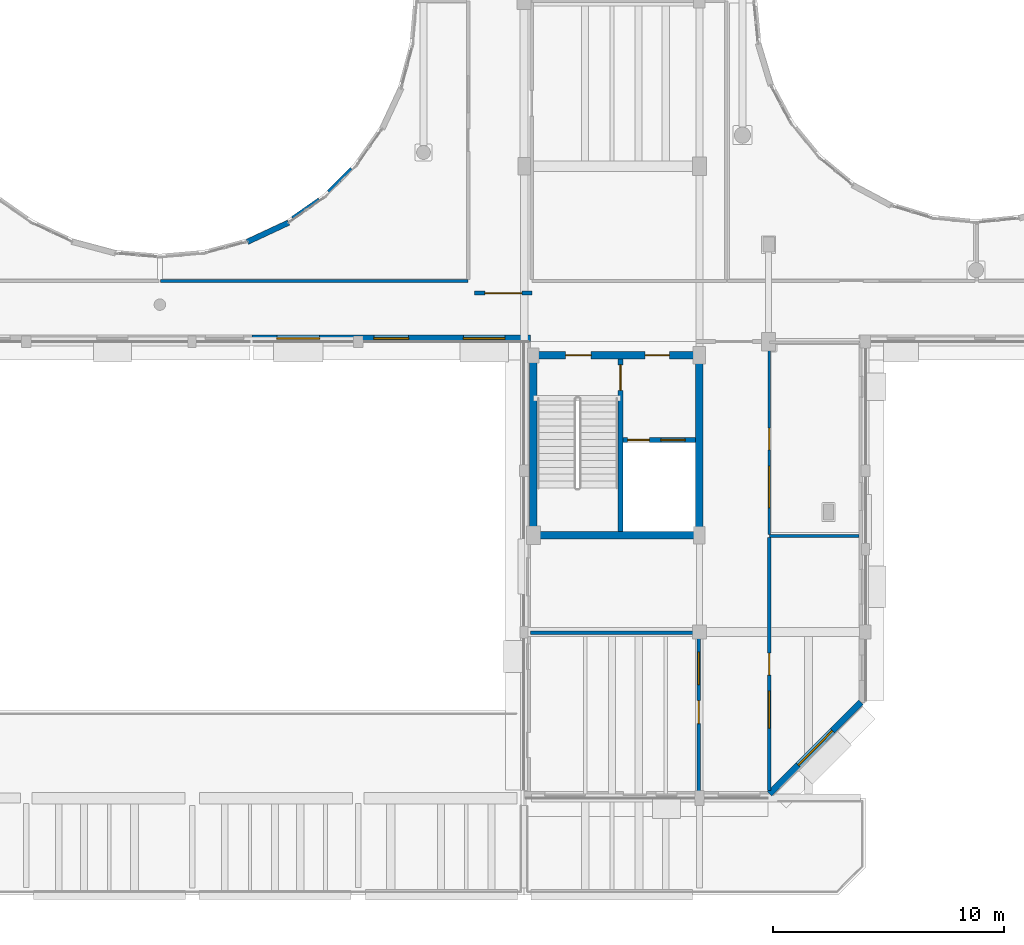
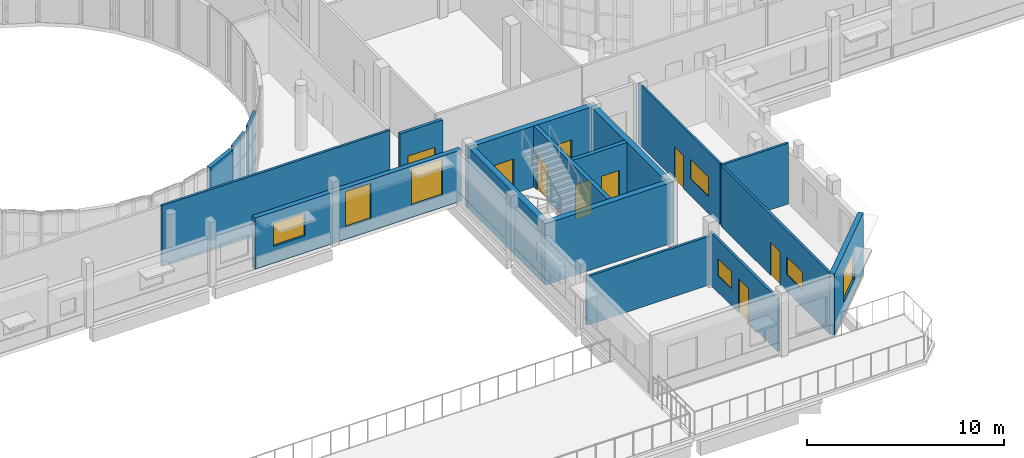
# One storey, part 68 of 92: 18 walls, 9 doors, 7 windows, 16 openings.
"""IFC4 building model written with IfcOpenShell, lengths in metres."""

from ifc_helpers import new_model, si_unit, direction, frame, frame_2d, origin, place, context, subcontext, project, spatial, rectangle, extrude, material, layer, layer_set, type_object, element, fill, save


model = new_model("IFC4")

# Units and contexts
model_context = context("Model", 3, precision=1e-05, world=origin(), true_north=direction((0.0, 1.0)))
body_context = subcontext(model_context, "Body", "Model", "MODEL_VIEW")
ifc_project = project(units=[si_unit("LENGTHUNIT", "METRE"), si_unit("AREAUNIT", "SQUARE_METRE"), si_unit("VOLUMEUNIT", "CUBIC_METRE"), si_unit("PLANEANGLEUNIT", "RADIAN"), si_unit("MASSUNIT", "GRAM", prefix="KILO")], contexts=[model_context])

# Site, building, storey
site_placement = place(None, origin())
site = spatial("IfcSite", under=ifc_project, at=site_placement, CompositionType="ELEMENT")
building_placement = place(site_placement, origin())
building = spatial("IfcBuilding", under=site, at=building_placement, Name="Kelanivale Promenade Academy", CompositionType="ELEMENT")
storey_placement = place(building_placement, frame((0.0, 0.0, 8.199951171875)))
storey = spatial("IfcBuildingStorey", under=building, at=storey_placement, Name="L02", CompositionType="ELEMENT", Elevation=8.199951171875)

# Wall
ifc_material_1 = material(Name="Concrete C40/50", Category="concrete")
ifc_layer_1 = layer(ifc_material_1, 0.330078125)
ifc_layer_set_1 = layer_set([ifc_layer_1], Name="Concrete C40/50")
wall_type_1 = type_object("IfcWallType", Name="CW-S1 Wall 330mm", PredefinedType="SHEAR", material=ifc_layer_set_1)
wall_1_placement = place(storey_placement, frame((79.43505859375, 33.60009765625, 0.0), z_axis=(0.0, 0.0, 1.0), x_axis=(1.0, 0.0, 0.0)))
element("IfcWall", 1, at=wall_1_placement, inside=storey, type_object=wall_type_1, Name="CORE-1 RC shear wall S L02", PredefinedType="SHEAR", context=body_context, shape_type="SweptSolid", body=[
    extrude(rectangle(XDim=7.530029296875, YDim=0.330078125, at=frame_2d((3.76513671875, 0.0))), origin(), (0.0, 0.0, 1.0), 3.780029296875),
])

# Wall, openings, doors
wall_2_placement = place(storey_placement, frame((79.43505859375, 41.39990234375, 0.0), z_axis=(0.0, 0.0, 1.0), x_axis=(1.0, 0.0, 0.0)))
wall_2 = element("IfcWall", 2, at=wall_2_placement, inside=storey, type_object=wall_type_1, Name="CORE-1 RC shear wall N L02", PredefinedType="SHEAR", context=body_context, shape_type="SweptSolid", body=[
    extrude(rectangle(XDim=7.530029296875, YDim=0.330078125, at=frame_2d((3.76513671875, 0.0))), origin(), (0.0, 0.0, 1.0), 3.780029296875),
])
opening_1_placement = place(wall_2_placement, frame((5.014892578125, 0.0, 0.0)))
opening_1 = element("IfcOpeningElement", 3, at=opening_1_placement, cuts=wall_2, Name="Opening FD-CORE-1-LB-L02", PredefinedType="OPENING", context=body_context, shape_type="SweptSolid", body=[
    extrude(rectangle(XDim=1.050048828125, YDim=2.14990234375, at=frame_2d((0.52490234375, 1.074951171875))), frame((0.0, 0.175048828125, 0.0), z_axis=(0.0, -1.0, 0.0), x_axis=(1.0, 0.0, 0.0)), (0.0, 0.0, 1.0), 0.35009765625),
])
opening_2_placement = place(wall_2_placement, frame((1.56494140625, 0.0, 0.0)))
opening_2 = element("IfcOpeningElement", 4, at=opening_2_placement, cuts=wall_2, Name="Opening FD-CORE-1-ST-L02", PredefinedType="OPENING", context=body_context, shape_type="SweptSolid", body=[
    extrude(rectangle(XDim=1.10009765625, YDim=2.14990234375, at=frame_2d((0.550048828125, 1.074951171875))), frame((0.0, 0.175048828125, 0.0), z_axis=(0.0, -1.0, 0.0), x_axis=(1.0, 0.0, 0.0)), (0.0, 0.0, 1.0), 0.35009765625),
])
ifc_material_2 = material(Name="Fire-rated steel-core teak veneer", Category="steel")
door_type_1 = type_object("IfcDoorType", Name="DT-F01 Door 1100x2150", OperationType="NOTDEFINED", PredefinedType="DOOR", material=ifc_material_2)
door_1_placement = place(opening_2_placement, origin())
door_1 = element("IfcDoor", 5, at=door_1_placement, inside=storey, type_object=door_type_1, Name="CORE-1 protected stair fire door L02", OperationType="SINGLE_SWING_LEFT", OverallHeight=2.14990234375, OverallWidth=1.10009765625, PredefinedType="DOOR", context=body_context, shape_type="SweptSolid", body=[
    extrude(rectangle(XDim=1.10009765625, YDim=2.14990234375, at=frame_2d((0.550048828125, 1.074951171875))), frame((0.0, 0.02490234375, 0.0), z_axis=(0.0, -1.0, 0.0), x_axis=(1.0, 0.0, 0.0)), (0.0, 0.0, 1.0), 0.050048828125),
])
fill(opening_2, door_1)
door_type_2 = type_object("IfcDoorType", Name="DT-F03 Door 1050x2150", OperationType="NOTDEFINED", PredefinedType="DOOR", material=ifc_material_2)
door_2_placement = place(opening_1_placement, origin())
door_2 = element("IfcDoor", 6, at=door_2_placement, inside=storey, type_object=door_type_2, Name="CORE-1 corridor-to-lobby fire door L02", OperationType="SINGLE_SWING_RIGHT", OverallHeight=2.14990234375, OverallWidth=1.050048828125, PredefinedType="DOOR", context=body_context, shape_type="SweptSolid", body=[
    extrude(rectangle(XDim=1.050048828125, YDim=2.14990234375, at=frame_2d((0.52490234375, 1.074951171875))), frame((0.0, 0.02490234375, 0.0), z_axis=(0.0, -1.0, 0.0), x_axis=(1.0, 0.0, 0.0)), (0.0, 0.0, 1.0), 0.050048828125),
])
fill(opening_1, door_2)

# Walls
for number, where, z_axis, x_axis, name in (
    (7, (79.60009765625, 33.764892578125, 0.0), (0.0, 0.0, 1.0), (0.0, 1.0, 0.0), "CORE-1 RC shear wall W L02"),
    (8, (86.800048828125, 33.764892578125, 0.0), (0.0, 0.0, 1.0), (0.0, 1.0, 0.0), "CORE-1 RC shear wall E L02"),
):
    element("IfcWall", number, at=place(storey_placement, frame(where, z_axis=z_axis, x_axis=x_axis)), inside=storey, type_object=wall_type_1, Name=name, PredefinedType="SHEAR", context=body_context, shape_type="SweptSolid", body=[
        extrude(rectangle(XDim=7.47021484375, YDim=0.330078125, at=frame_2d((3.735107421875, 0.0))), origin(), (0.0, 0.0, 1.0), 3.780029296875),
    ])

# Wall, openings, doors
ifc_layer_2 = layer(ifc_material_1, 0.22509765625)
ifc_layer_set_2 = layer_set([ifc_layer_2], Name="Concrete C40/50")
wall_type_2 = type_object("IfcWallType", Name="CW-S2 Wall 225mm", PredefinedType="SHEAR", material=ifc_layer_set_2)
wall_3_placement = place(storey_placement, frame((83.485107421875, 37.72998046875, 0.0), z_axis=(0.0, 0.0, 1.0), x_axis=(1.0, 0.0, 0.0)))
wall_3 = element("IfcWall", 9, at=wall_3_placement, inside=storey, type_object=wall_type_2, Name="CORE-1 lift shaft front RC wall L02", PredefinedType="SHEAR", context=body_context, shape_type="SweptSolid", body=[
    extrude(rectangle(XDim=3.14990234375, YDim=0.22509765625, at=frame_2d((1.574951171875, 0.0))), origin(), (0.0, 0.0, 1.0), 3.780029296875),
])
opening_3_placement = place(wall_3_placement, frame((0.199951171875, 0.0, 0.0)))
opening_3 = element("IfcOpeningElement", 10, at=opening_3_placement, cuts=wall_3, Name="Opening LD-LF-FF1-L02", PredefinedType="OPENING", context=body_context, shape_type="SweptSolid", body=[
    extrude(rectangle(XDim=0.949951171875, YDim=2.14990234375, at=frame_2d((0.47509765625, 1.074951171875))), frame((0.0, 0.12255859375, 0.0), z_axis=(0.0, -1.0, 0.0), x_axis=(1.0, 0.0, 0.0)), (0.0, 0.0, 1.0), 0.2451171875),
])
opening_4_placement = place(wall_3_placement, frame((1.64990234375, 0.0, 0.0)))
opening_4 = element("IfcOpeningElement", 11, at=opening_4_placement, cuts=wall_3, Name="Opening LD-LF-P1-L02", PredefinedType="OPENING", context=body_context, shape_type="SweptSolid", body=[
    extrude(rectangle(XDim=1.050048828125, YDim=2.199951171875, at=frame_2d((0.52490234375, 1.10009765625))), frame((0.0, 0.12255859375, 0.0), z_axis=(0.0, -1.0, 0.0), x_axis=(1.0, 0.0, 0.0)), (0.0, 0.0, 1.0), 0.2451171875),
])
door_type_3 = type_object("IfcDoorType", Name="LD-FF1 Door 950x2150", OperationType="NOTDEFINED", PredefinedType="DOOR", material=ifc_material_2)
door_3_placement = place(opening_3_placement, origin())
door_3 = element("IfcDoor", 12, at=door_3_placement, inside=storey, type_object=door_type_3, Name="Firefighting lift landing door LD-LF-FF1-L02", OperationType="SLIDING_TO_LEFT", OverallHeight=2.14990234375, OverallWidth=0.949951171875, PredefinedType="DOOR", context=body_context, shape_type="SweptSolid", body=[
    extrude(rectangle(XDim=0.949951171875, YDim=2.14990234375, at=frame_2d((0.47509765625, 1.074951171875))), frame((0.0, 0.02490234375, 0.0), z_axis=(0.0, -1.0, 0.0), x_axis=(1.0, 0.0, 0.0)), (0.0, 0.0, 1.0), 0.050048828125),
])
fill(opening_3, door_3)
door_type_4 = type_object("IfcDoorType", Name="LD-PL1 Door 1050x2200", OperationType="NOTDEFINED", PredefinedType="DOOR", material=ifc_material_2)
door_4_placement = place(opening_4_placement, origin())
door_4 = element("IfcDoor", 13, at=door_4_placement, inside=storey, type_object=door_type_4, Name="Passenger lift landing door LD-LF-P1-L02", OperationType="SLIDING_TO_RIGHT", OverallHeight=2.199951171875, OverallWidth=1.050048828125, PredefinedType="DOOR", context=body_context, shape_type="SweptSolid", body=[
    extrude(rectangle(XDim=1.050048828125, YDim=2.199951171875, at=frame_2d((0.52490234375, 1.10009765625))), frame((0.0, 0.02490234375, 0.0), z_axis=(0.0, -1.0, 0.0), x_axis=(1.0, 0.0, 0.0)), (0.0, 0.0, 1.0), 0.050048828125),
])
fill(opening_4, door_4)

# Wall, opening, door
ifc_layer_3 = layer(ifc_material_1, 0.219970703125)
ifc_layer_set_3 = layer_set([ifc_layer_3], Name="Concrete C40/50")
wall_type_3 = type_object("IfcWallType", Name="CW-S3 Wall 220mm", PredefinedType="SHEAR", material=ifc_layer_set_3)
wall_4_placement = place(storey_placement, frame((83.375, 33.764892578125, 0.0), z_axis=(0.0, 0.0, 1.0), x_axis=(0.0, 1.0, 0.0)))
wall_4 = element("IfcWall", 14, at=wall_4_placement, inside=storey, type_object=wall_type_3, Name="CORE-1 stair-lobby dividing RC wall L02", PredefinedType="SHEAR", context=body_context, shape_type="SweptSolid", body=[
    extrude(rectangle(XDim=7.47021484375, YDim=0.219970703125, at=frame_2d((3.735107421875, 0.0))), origin(), (0.0, 0.0, 1.0), 3.780029296875),
])
opening_5_placement = place(wall_4_placement, frame((6.1201171875, 0.0, 0.0)))
opening_5 = element("IfcOpeningElement", 15, at=opening_5_placement, cuts=wall_4, Name="Opening FD-CORE-1-SL-L02", PredefinedType="OPENING", context=body_context, shape_type="SweptSolid", body=[
    extrude(rectangle(XDim=1.10009765625, YDim=2.14990234375, at=frame_2d((0.550048828125, 1.074951171875))), frame((0.0, 0.1201171875, 0.0), z_axis=(0.0, -1.0, 0.0), x_axis=(1.0, 0.0, 0.0)), (0.0, 0.0, 1.0), 0.239990234375),
])
door_5_placement = place(opening_5_placement, origin())
door_5 = element("IfcDoor", 16, at=door_5_placement, inside=storey, type_object=door_type_1, Name="CORE-1 lobby-to-stair fire door L02", OperationType="SINGLE_SWING_LEFT", OverallHeight=2.14990234375, OverallWidth=1.10009765625, PredefinedType="DOOR", context=body_context, shape_type="SweptSolid", body=[
    extrude(rectangle(XDim=1.10009765625, YDim=2.14990234375, at=frame_2d((0.550048828125, 1.074951171875))), frame((0.0, 0.02490234375, 0.0), z_axis=(0.0, -1.0, 0.0), x_axis=(1.0, 0.0, 0.0)), (0.0, 0.0, 1.0), 0.050048828125),
])
fill(opening_5, door_5)

# Wall, openings, windows
ifc_material_3 = material(Name="Insulated ivory stucco masonry wall 280 mm", Category="masonry")
ifc_layer_4 = layer(ifc_material_3, 0.280029296875)
ifc_layer_set_4 = layer_set([ifc_layer_4], Name="Insulated ivory stucco masonry wall 280 mm")
wall_type_4 = type_object("IfcWallType", Name="EW-02 Wall 280mm", PredefinedType="SOLIDWALL", material=ifc_layer_set_4)
wall_5_placement = place(storey_placement, frame((67.386962890625, 42.139892578125, 0.0), z_axis=(0.0, 0.0, 1.0), x_axis=(1.0, 0.0, 0.0)))
wall_5 = element("IfcWall", 17, at=wall_5_placement, inside=storey, type_object=wall_type_4, Name="L02 exterior facade wall EW-L02-ORT-0445", PredefinedType="SOLIDWALL", context=body_context, shape_type="SweptSolid", body=[
    extrude(rectangle(XDim=12.093017578125, YDim=0.280029296875, at=frame_2d((6.04638671875, 0.0))), origin(), (0.0, 0.0, 1.0), 3.175048828125),
])
opening_6_placement = place(wall_5_placement, frame((1.091064453125, 0.0, 1.050048828125)))
opening_6 = element("IfcOpeningElement", 18, at=opening_6_placement, cuts=wall_5, Name="Opening WT-36", PredefinedType="OPENING", context=body_context, shape_type="SweptSolid", body=[
    extrude(rectangle(XDim=1.85009765625, YDim=1.39990234375, at=frame_2d((0.925048828125, 0.699951171875))), frame((0.0, 0.14990234375, 0.0), z_axis=(0.0, -1.0, 0.0), x_axis=(1.0, 0.0, 0.0)), (0.0, 0.0, 1.0), 0.300048828125),
])
opening_7_placement = place(wall_5_placement, frame((5.297119140625, 0.0, 0.75)))
opening_7 = element("IfcOpeningElement", 19, at=opening_7_placement, cuts=wall_5, Name="Opening WT-11", PredefinedType="OPENING", context=body_context, shape_type="SweptSolid", body=[
    extrude(rectangle(XDim=1.5, YDim=2.199951171875, at=frame_2d((0.75, 1.10009765625))), frame((0.0, 0.14990234375, 0.0), z_axis=(0.0, -1.0, 0.0), x_axis=(1.0, 0.0, 0.0)), (0.0, 0.0, 1.0), 0.300048828125),
])
opening_8_placement = place(wall_5_placement, frame((9.177978515625, 0.0, 0.75)))
opening_8 = element("IfcOpeningElement", 20, at=opening_8_placement, cuts=wall_5, Name="Opening WT-12", PredefinedType="OPENING", context=body_context, shape_type="SweptSolid", body=[
    extrude(rectangle(XDim=1.800048828125, YDim=2.25, at=frame_2d((0.89990234375, 1.125))), frame((0.0, 0.14990234375, 0.0), z_axis=(0.0, -1.0, 0.0), x_axis=(1.0, 0.0, 0.0)), (0.0, 0.0, 1.0), 0.300048828125),
])
ifc_material_4 = material(Name="Bronze anodised aluminium frame with low-E laminated glass", Category="aluminium")
window_type_1 = type_object("IfcWindowType", Name="WT-11 Window 1500x2200", PartitioningType="SINGLE_PANEL", PredefinedType="WINDOW", material=ifc_material_4)
window_1_placement = place(opening_7_placement, origin())
window_1 = element("IfcWindow", 21, at=window_1_placement, inside=storey, type_object=window_type_1, Name="Window WT-11", OverallHeight=2.199951171875, OverallWidth=1.5, PartitioningType="SINGLE_PANEL", PredefinedType="WINDOW", context=body_context, shape_type="SweptSolid", body=[
    extrude(rectangle(XDim=1.5, YDim=2.199951171875, at=frame_2d((0.75, 1.10009765625))), frame((0.0, 0.030029296875, 0.0), z_axis=(0.0, -1.0, 0.0), x_axis=(1.0, 0.0, 0.0)), (0.0, 0.0, 1.0), 0.06005859375),
])
fill(opening_7, window_1)
window_type_2 = type_object("IfcWindowType", Name="WT-12 Window 1800x2250", PartitioningType="SINGLE_PANEL", PredefinedType="WINDOW", material=ifc_material_4)
window_2_placement = place(opening_8_placement, origin())
window_2 = element("IfcWindow", 22, at=window_2_placement, inside=storey, type_object=window_type_2, Name="Window WT-12", OverallHeight=2.25, OverallWidth=1.800048828125, PartitioningType="SINGLE_PANEL", PredefinedType="WINDOW", context=body_context, shape_type="SweptSolid", body=[
    extrude(rectangle(XDim=1.800048828125, YDim=2.25, at=frame_2d((0.89990234375, 1.125))), frame((0.0, 0.030029296875, 0.0), z_axis=(0.0, -1.0, 0.0), x_axis=(1.0, 0.0, 0.0)), (0.0, 0.0, 1.0), 0.06005859375),
])
fill(opening_8, window_2)
window_type_3 = type_object("IfcWindowType", Name="WT-36 Window 1850x1400", PartitioningType="SINGLE_PANEL", PredefinedType="WINDOW", material=ifc_material_4)
window_3_placement = place(opening_6_placement, origin())
window_3 = element("IfcWindow", 23, at=window_3_placement, inside=storey, type_object=window_type_3, Name="Window WT-36", OverallHeight=1.39990234375, OverallWidth=1.85009765625, PartitioningType="SINGLE_PANEL", PredefinedType="WINDOW", context=body_context, shape_type="SweptSolid", body=[
    extrude(rectangle(XDim=1.85009765625, YDim=1.39990234375, at=frame_2d((0.925048828125, 0.699951171875))), frame((0.0, 0.030029296875, 0.0), z_axis=(0.0, -1.0, 0.0), x_axis=(1.0, 0.0, 0.0)), (0.0, 0.0, 1.0), 0.06005859375),
])
fill(opening_6, window_3)

# Wall, opening, window
wall_6_placement = place(storey_placement, frame((89.842041015625, 22.384033203125, 0.0), z_axis=(0.0, 0.0, 1.0), x_axis=(0.707106781187, 0.707106781187, 0.0)))
wall_6 = element("IfcWall", 24, at=wall_6_placement, inside=storey, type_object=wall_type_4, Name="L02 exterior facade wall EW-L02-ORT-0448", PredefinedType="SOLIDWALL", context=body_context, shape_type="SweptSolid", body=[
    extrude(rectangle(XDim=5.619873046875, YDim=0.280029296875, at=frame_2d((2.81005859375, 0.0))), origin(), (0.0, 0.0, 1.0), 3.780029296875),
])
opening_9_placement = place(wall_6_placement, frame((1.760009765625, 0.0, 0.85009765625)))
opening_9 = element("IfcOpeningElement", 25, at=opening_9_placement, cuts=wall_6, Name="Opening WT-02", PredefinedType="OPENING", context=body_context, shape_type="SweptSolid", body=[
    extrude(rectangle(XDim=2.10009765625, YDim=1.800048828125, at=frame_2d((1.050048828125, 0.89990234375))), frame((0.0, 0.14990234375, 0.0), z_axis=(0.0, -1.0, 0.0), x_axis=(1.0, 0.0, 0.0)), (0.0, 0.0, 1.0), 0.300048828125),
])
window_type_4 = type_object("IfcWindowType", Name="WT-02 Window 2100x1800", PartitioningType="SINGLE_PANEL", PredefinedType="WINDOW", material=ifc_material_4)
window_4_placement = place(opening_9_placement, origin())
window_4 = element("IfcWindow", 26, at=window_4_placement, inside=storey, type_object=window_type_4, Name="Window WT-02", OverallHeight=1.800048828125, OverallWidth=2.10009765625, PartitioningType="SINGLE_PANEL", PredefinedType="WINDOW", context=body_context, shape_type="SweptSolid", body=[
    extrude(rectangle(XDim=2.10009765625, YDim=1.800048828125, at=frame_2d((1.050048828125, 0.89990234375))), frame((0.0, 0.030029296875, 0.0), z_axis=(0.0, -1.0, 0.0), x_axis=(1.0, 0.0, 0.0)), (0.0, 0.0, 1.0), 0.06005859375),
])
fill(opening_9, window_4)

# Wall
ifc_material_5 = material(Name="Insulated courtyard stucco masonry wall 240 mm", Category="masonry")
ifc_layer_5 = layer(ifc_material_5, 0.239990234375)
ifc_layer_set_5 = layer_set([ifc_layer_5], Name="Insulated courtyard stucco masonry wall 240 mm")
wall_type_5 = type_object("IfcWallType", Name="EW-04 Wall 240mm", PredefinedType="SOLIDWALL", material=ifc_layer_set_5)
wall_7_placement = place(storey_placement, frame((67.197998046875, 46.324951171875, 0.0), z_axis=(0.0, 0.0, 1.0), x_axis=(0.906084909348, 0.423095895811, 0.0)))
element("IfcWall", 27, at=wall_7_placement, inside=storey, type_object=wall_type_5, Name="L02 round courtyard stucco wall", PredefinedType="SOLIDWALL", context=body_context, shape_type="SweptSolid", body=[
    extrude(rectangle(XDim=1.96875, YDim=0.239990234375, at=frame_2d((0.984375, 0.0))), origin(), (0.0, 0.0, 1.0), 3.780029296875),
])

# Wall, opening, door
ifc_material_6 = material(Name="Autoclaved masonry blockwork 180 mm", Category="masonry")
ifc_layer_6 = layer(ifc_material_6, 0.179931640625)
ifc_layer_set_6 = layer_set([ifc_layer_6], Name="Autoclaved masonry blockwork 180 mm")
wall_type_6 = type_object("IfcWallType", Name="IW-02 Wall 180mm", PredefinedType="PARTITIONING", material=ifc_layer_set_6)
wall_8_placement = place(storey_placement, frame((77.050048828125, 44.10009765625, 0.0), z_axis=(0.0, 0.0, 1.0), x_axis=(1.0, 0.0, 0.0)))
wall_8 = element("IfcWall", 28, at=wall_8_placement, inside=storey, type_object=wall_type_6, Name="L02 cross-corridor fire wall", PredefinedType="PARTITIONING", context=body_context, shape_type="SweptSolid", body=[
    extrude(rectangle(XDim=2.5, YDim=0.179931640625, at=frame_2d((1.25, 0.0))), origin(), (0.0, 0.0, 1.0), 3.780029296875),
])
opening_10_placement = place(wall_8_placement, frame((0.449951171875, 0.0, 0.0)))
opening_10 = element("IfcOpeningElement", 29, at=opening_10_placement, cuts=wall_8, Name="Opening FD-L02-CC-106", PredefinedType="OPENING", context=body_context, shape_type="SweptSolid", body=[
    extrude(rectangle(XDim=1.60009765625, YDim=2.25, at=frame_2d((0.800048828125, 1.125))), frame((0.0, 0.10009765625, 0.0), z_axis=(0.0, -1.0, 0.0), x_axis=(1.0, 0.0, 0.0)), (0.0, 0.0, 1.0), 0.199951171875),
])
door_type_5 = type_object("IfcDoorType", Name="DT-F09 Door 1600x2250", OperationType="NOTDEFINED", PredefinedType="DOOR", material=ifc_material_2)
door_6_placement = place(opening_10_placement, origin())
door_6 = element("IfcDoor", 30, at=door_6_placement, inside=storey, type_object=door_type_5, Name="L02 cross-corridor fire door FD-L02-CC-106", OperationType="DOUBLE_DOOR_SINGLE_SWING", OverallHeight=2.25, OverallWidth=1.60009765625, PredefinedType="DOOR", context=body_context, shape_type="SweptSolid", body=[
    extrude(rectangle(XDim=1.60009765625, YDim=2.25, at=frame_2d((0.800048828125, 1.125))), frame((0.0, 0.02490234375, 0.0), z_axis=(0.0, -1.0, 0.0), x_axis=(1.0, 0.0, 0.0)), (0.0, 0.0, 1.0), 0.050048828125),
])
fill(opening_10, door_6)

# Wall, openings, door, window
ifc_material_7 = material(Name="Acoustic double-stud gypsum board partition 140 mm", Category="masonry")
ifc_layer_7 = layer(ifc_material_7, 0.139892578125)
ifc_layer_set_7 = layer_set([ifc_layer_7], Name="Acoustic double-stud gypsum board partition 140 mm")
wall_type_7 = type_object("IfcWallType", Name="IW-04 Wall 140mm", PredefinedType="PARTITIONING", material=ifc_layer_set_7)
wall_9_placement = place(storey_placement, frame((86.77001953125, 22.47802734375, 0.0), z_axis=(0.0, 0.0, 1.0), x_axis=(0.0, 1.0, 0.0)))
wall_9 = element("IfcWall", 31, at=wall_9_placement, inside=storey, type_object=wall_type_7, Name="L02 partition Promenade Study Lounge", PredefinedType="PARTITIONING", context=body_context, shape_type="SweptSolid", body=[
    extrude(rectangle(XDim=6.89208984375, YDim=0.139892578125, at=frame_2d((3.446044921875, 0.0))), origin(), (0.0, 0.0, 1.0), 3.260009765625),
])
opening_11_placement = place(wall_9_placement, frame((2.946044921875, 0.0, 0.0)))
opening_11 = element("IfcOpeningElement", 32, at=opening_11_placement, cuts=wall_9, Name="Opening ID-L02-115", PredefinedType="OPENING", context=body_context, shape_type="SweptSolid", body=[
    extrude(rectangle(XDim=1.0, YDim=2.10009765625, at=frame_2d((0.5, 1.050048828125))), frame((0.0, 0.080078125, 0.0), z_axis=(0.0, -1.0, 0.0), x_axis=(1.0, 0.0, 0.0)), (0.0, 0.0, 1.0), 0.159912109375),
])
opening_12_placement = place(wall_9_placement, frame((4.64599609375, 0.0, 1.050048828125)))
opening_12 = element("IfcOpeningElement", 33, at=opening_12_placement, cuts=wall_9, Name="Opening WT-I03", PredefinedType="OPENING", context=body_context, shape_type="SweptSolid", body=[
    extrude(rectangle(XDim=1.39990234375, YDim=1.050048828125, at=frame_2d((0.699951171875, 0.52490234375))), frame((0.0, 0.080078125, 0.0), z_axis=(0.0, -1.0, 0.0), x_axis=(1.0, 0.0, 0.0)), (0.0, 0.0, 1.0), 0.159912109375),
])
ifc_material_8 = material(Name="Solid-core tropical teak timber", Category="wood")
door_type_6 = type_object("IfcDoorType", Name="DT-I01 Door 1000x2100", OperationType="NOTDEFINED", PredefinedType="DOOR", material=ifc_material_8)
door_7_placement = place(opening_11_placement, origin())
door_7 = element("IfcDoor", 34, at=door_7_placement, inside=storey, type_object=door_type_6, Name="Promenade Study Lounge door ID-L02-115", OperationType="SINGLE_SWING_LEFT", OverallHeight=2.10009765625, OverallWidth=1.0, PredefinedType="DOOR", context=body_context, shape_type="SweptSolid", body=[
    extrude(rectangle(XDim=1.0, YDim=2.10009765625, at=frame_2d((0.5, 1.050048828125))), frame((0.0, 0.02490234375, 0.0), z_axis=(0.0, -1.0, 0.0), x_axis=(1.0, 0.0, 0.0)), (0.0, 0.0, 1.0), 0.050048828125),
])
fill(opening_11, door_7)
window_type_5 = type_object("IfcWindowType", Name="WT-I03 Window 1400x1050", PartitioningType="SINGLE_PANEL", PredefinedType="WINDOW", material=ifc_material_4)
window_5_placement = place(opening_12_placement, origin())
window_5 = element("IfcWindow", 35, at=window_5_placement, inside=storey, type_object=window_type_5, Name="Interior observation window WT-I03", OverallHeight=1.050048828125, OverallWidth=1.39990234375, PartitioningType="SINGLE_PANEL", PredefinedType="WINDOW", context=body_context, shape_type="SweptSolid", body=[
    extrude(rectangle(XDim=1.39990234375, YDim=1.050048828125, at=frame_2d((0.699951171875, 0.52490234375))), frame((0.0, 0.030029296875, 0.0), z_axis=(0.0, -1.0, 0.0), x_axis=(1.0, 0.0, 0.0)), (0.0, 0.0, 1.0), 0.06005859375),
])
fill(opening_12, window_5)

# Walls
wall_10_placement = place(storey_placement, frame((86.701904296875, 29.3701171875, 0.0), z_axis=(0.0, 0.0, 1.0), x_axis=(-1.0, 0.0, 0.0)))
element("IfcWall", 36, at=wall_10_placement, inside=storey, type_object=wall_type_7, Name="L02 partition Promenade Study Lounge", PredefinedType="PARTITIONING", context=body_context, shape_type="SweptSolid", body=[
    extrude(rectangle(XDim=7.223876953125, YDim=0.139892578125, at=frame_2d((3.61181640625, 0.0))), origin(), (0.0, 0.0, 1.0), 3.010009765625),
])
wall_11_placement = place(storey_placement, frame((93.721923828125, 33.570068359375, 0.0), z_axis=(0.0, 0.0, 1.0), x_axis=(-1.0, 0.0, 0.0)))
element("IfcWall", 37, at=wall_11_placement, inside=storey, type_object=wall_type_7, Name="L02 partition Staff Common Room", PredefinedType="PARTITIONING", context=body_context, shape_type="SweptSolid", body=[
    extrude(rectangle(XDim=3.891845703125, YDim=0.139892578125, at=frame_2d((1.94580078125, 0.0))), origin(), (0.0, 0.0, 1.0), 3.760009765625),
])

# Wall, openings, door, window
wall_12_placement = place(storey_placement, frame((89.830078125, 33.501953125, 0.0), z_axis=(0.0, 0.0, 1.0), x_axis=(0.0, -1.0, 0.0)))
wall_12 = element("IfcWall", 38, at=wall_12_placement, inside=storey, type_object=wall_type_7, Name="L02 partition Staff Common Room", PredefinedType="PARTITIONING", context=body_context, shape_type="SweptSolid", body=[
    extrude(rectangle(XDim=10.98095703125, YDim=0.139892578125, at=frame_2d((5.490478515625, 0.0))), origin(), (0.0, 0.0, 1.0), 3.760009765625),
])
opening_13_placement = place(wall_12_placement, frame((5.01611328125, 0.0, 0.0)))
opening_13 = element("IfcOpeningElement", 39, at=opening_13_placement, cuts=wall_12, Name="Opening ID-L02-116", PredefinedType="OPENING", context=body_context, shape_type="SweptSolid", body=[
    extrude(rectangle(XDim=0.949951171875, YDim=2.050048828125, at=frame_2d((0.47509765625, 1.02490234375))), frame((0.0, 0.080078125, 0.0), z_axis=(0.0, -1.0, 0.0), x_axis=(1.0, 0.0, 0.0)), (0.0, 0.0, 1.0), 0.159912109375),
])
opening_14_placement = place(wall_12_placement, frame((6.666015625, 0.0, 1.050048828125)))
opening_14 = element("IfcOpeningElement", 40, at=opening_14_placement, cuts=wall_12, Name="Opening WT-I01", PredefinedType="OPENING", context=body_context, shape_type="SweptSolid", body=[
    extrude(rectangle(XDim=1.60009765625, YDim=1.10009765625, at=frame_2d((0.800048828125, 0.550048828125))), frame((0.0, 0.080078125, 0.0), z_axis=(0.0, -1.0, 0.0), x_axis=(1.0, 0.0, 0.0)), (0.0, 0.0, 1.0), 0.159912109375),
])
door_type_7 = type_object("IfcDoorType", Name="DT-I07 Door 950x2050", OperationType="NOTDEFINED", PredefinedType="DOOR", material=ifc_material_8)
door_8_placement = place(opening_13_placement, origin())
door_8 = element("IfcDoor", 41, at=door_8_placement, inside=storey, type_object=door_type_7, Name="Staff Common Room door ID-L02-116", OperationType="SINGLE_SWING_RIGHT", OverallHeight=2.050048828125, OverallWidth=0.949951171875, PredefinedType="DOOR", context=body_context, shape_type="SweptSolid", body=[
    extrude(rectangle(XDim=0.949951171875, YDim=2.050048828125, at=frame_2d((0.47509765625, 1.02490234375))), frame((0.0, 0.02490234375, 0.0), z_axis=(0.0, -1.0, 0.0), x_axis=(1.0, 0.0, 0.0)), (0.0, 0.0, 1.0), 0.050048828125),
])
fill(opening_13, door_8)
window_type_6 = type_object("IfcWindowType", Name="WT-I01 Window 1600x1100", PartitioningType="SINGLE_PANEL", PredefinedType="WINDOW", material=ifc_material_4)
window_6_placement = place(opening_14_placement, origin())
window_6 = element("IfcWindow", 42, at=window_6_placement, inside=storey, type_object=window_type_6, Name="Interior observation window WT-I01", OverallHeight=1.10009765625, OverallWidth=1.60009765625, PartitioningType="SINGLE_PANEL", PredefinedType="WINDOW", context=body_context, shape_type="SweptSolid", body=[
    extrude(rectangle(XDim=1.60009765625, YDim=1.10009765625, at=frame_2d((0.800048828125, 0.550048828125))), frame((0.0, 0.030029296875, 0.0), z_axis=(0.0, -1.0, 0.0), x_axis=(1.0, 0.0, 0.0)), (0.0, 0.0, 1.0), 0.06005859375),
])
fill(opening_14, window_6)

# Walls
wall_13_placement = place(storey_placement, frame((71.697021484375, 49.5009765625, 0.0), z_axis=(0.0, 0.0, 1.0), x_axis=(-0.707106781187, -0.707106781187, 0.0)))
element("IfcWall", 43, at=wall_13_placement, inside=storey, type_object=wall_type_7, Name="L02 partition Mathematics Classroom Courtyard South", PredefinedType="PARTITIONING", context=body_context, shape_type="SweptSolid", body=[
    extrude(rectangle(XDim=1.411376953125, YDim=0.139892578125, at=frame_2d((0.70556640625, 0.0))), origin(), (0.0, 0.0, 1.0), 3.775146484375),
])
wall_14_placement = place(storey_placement, frame((70.304931640625, 48.172119140625, 0.0), z_axis=(0.0, 0.0, 1.0), x_axis=(-0.819077743108, -0.57368253481, 0.0)))
element("IfcWall", 44, at=wall_14_placement, inside=storey, type_object=wall_type_7, Name="L02 partition Mathematics Classroom Courtyard South", PredefinedType="PARTITIONING", context=body_context, shape_type="SweptSolid", body=[
    extrude(rectangle(XDim=1.413818359375, YDim=0.139892578125, at=frame_2d((0.70703125, 0.0))), origin(), (0.0, 0.0, 1.0), 3.775146484375),
])
wall_15_placement = place(storey_placement, frame((63.429931640625, 44.6298828125, 0.0), z_axis=(0.0, 0.0, 1.0), x_axis=(1.0, 0.0, 0.0)))
element("IfcWall", 45, at=wall_15_placement, inside=storey, type_object=wall_type_7, Name="L02 partition Mathematics Classroom Courtyard South", PredefinedType="PARTITIONING", context=body_context, shape_type="SweptSolid", body=[
    extrude(rectangle(XDim=13.340087890625, YDim=0.139892578125, at=frame_2d((6.669921875, 0.0))), origin(), (0.0, 0.0, 1.0), 3.775146484375),
])

# Wall, openings, door, window
ifc_material_9 = material(Name="Lightweight gypsum stud partition 115 mm", Category="masonry")
ifc_layer_8 = layer(ifc_material_9, 0.114990234375)
ifc_layer_set_8 = layer_set([ifc_layer_8], Name="Lightweight gypsum stud partition 115 mm")
wall_type_8 = type_object("IfcWallType", Name="IW-06 Wall 115mm", PredefinedType="PARTITIONING", material=ifc_layer_set_8)
wall_16_placement = place(storey_placement, frame((89.830078125, 41.912109375, 0.0), z_axis=(0.0, 0.0, 1.0), x_axis=(0.0, -1.0, 0.0)))
wall_16 = element("IfcWall", 46, at=wall_16_placement, inside=storey, type_object=wall_type_8, Name="L02 partition Counselling Office", PredefinedType="PARTITIONING", context=body_context, shape_type="SweptSolid", body=[
    extrude(rectangle(XDim=8.274169921875, YDim=0.114990234375, at=frame_2d((4.13720703125, 0.0))), origin(), (0.0, 0.0, 1.0), 3.775146484375),
])
opening_15_placement = place(wall_16_placement, frame((3.662109375, 0.0, 0.0)))
opening_15 = element("IfcOpeningElement", 47, at=opening_15_placement, cuts=wall_16, Name="Opening ID-L02-117", PredefinedType="OPENING", context=body_context, shape_type="SweptSolid", body=[
    extrude(rectangle(XDim=0.949951171875, YDim=2.050048828125, at=frame_2d((0.47509765625, 1.02490234375))), frame((0.0, 0.0673828125, 0.0), z_axis=(0.0, -1.0, 0.0), x_axis=(1.0, 0.0, 0.0)), (0.0, 0.0, 1.0), 0.135009765625),
])
opening_16_placement = place(wall_16_placement, frame((5.31201171875, 0.0, 1.050048828125)))
opening_16 = element("IfcOpeningElement", 48, at=opening_16_placement, cuts=wall_16, Name="Opening WT-I02", PredefinedType="OPENING", context=body_context, shape_type="SweptSolid", body=[
    extrude(rectangle(XDim=1.800048828125, YDim=1.199951171875, at=frame_2d((0.89990234375, 0.60009765625))), frame((0.0, 0.0673828125, 0.0), z_axis=(0.0, -1.0, 0.0), x_axis=(1.0, 0.0, 0.0)), (0.0, 0.0, 1.0), 0.135009765625),
])
door_9_placement = place(opening_15_placement, origin())
door_9 = element("IfcDoor", 49, at=door_9_placement, inside=storey, type_object=door_type_7, Name="Counselling Office door ID-L02-117", OperationType="SINGLE_SWING_LEFT", OverallHeight=2.050048828125, OverallWidth=0.949951171875, PredefinedType="DOOR", context=body_context, shape_type="SweptSolid", body=[
    extrude(rectangle(XDim=0.949951171875, YDim=2.050048828125, at=frame_2d((0.47509765625, 1.02490234375))), frame((0.0, 0.02490234375, 0.0), z_axis=(0.0, -1.0, 0.0), x_axis=(1.0, 0.0, 0.0)), (0.0, 0.0, 1.0), 0.050048828125),
])
fill(opening_15, door_9)
window_type_7 = type_object("IfcWindowType", Name="WT-I02 Window 1800x1200", PartitioningType="SINGLE_PANEL", PredefinedType="WINDOW", material=ifc_material_4)
window_7_placement = place(opening_16_placement, origin())
window_7 = element("IfcWindow", 50, at=window_7_placement, inside=storey, type_object=window_type_7, Name="Interior observation window WT-I02", OverallHeight=1.199951171875, OverallWidth=1.800048828125, PartitioningType="SINGLE_PANEL", PredefinedType="WINDOW", context=body_context, shape_type="SweptSolid", body=[
    extrude(rectangle(XDim=1.800048828125, YDim=1.199951171875, at=frame_2d((0.89990234375, 0.60009765625))), frame((0.0, 0.030029296875, 0.0), z_axis=(0.0, -1.0, 0.0), x_axis=(1.0, 0.0, 0.0)), (0.0, 0.0, 1.0), 0.06005859375),
])
fill(opening_16, window_7)

save(model, "model.ifc")
